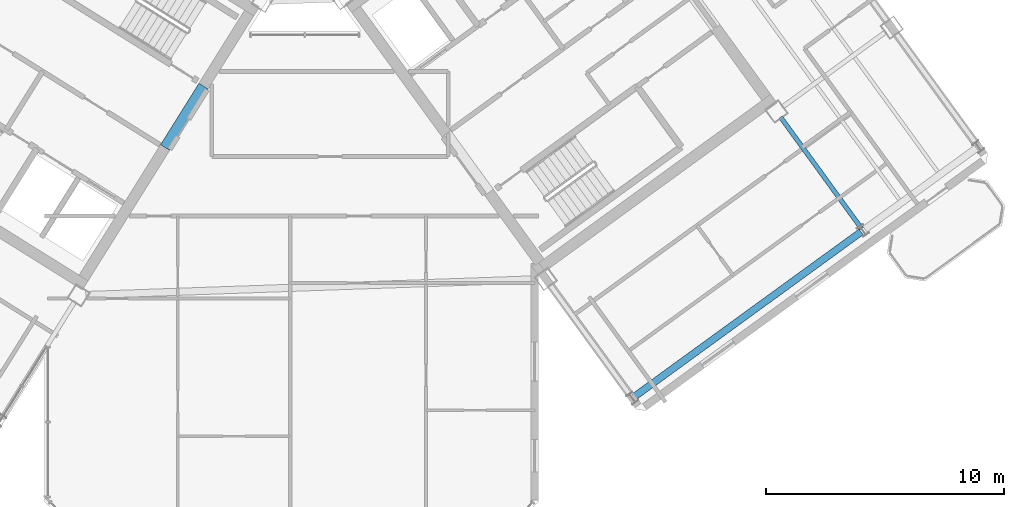
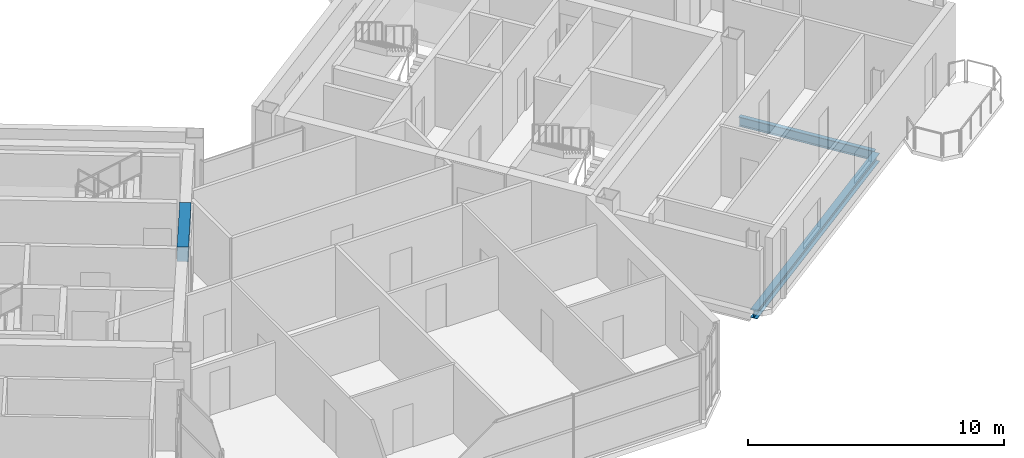
# One storey, part 11 of 25: 3 beams.
"""IFC4 building model written with IfcOpenShell, lengths in metres."""

from ifc_helpers import new_model, si_unit, direction, frame, origin, origin_2d, place, context, subcontext, project, spatial, rectangle, i_section, extrude, source, transform, mapped, material, material_profile, profile_set, type_object, element, save


model = new_model("IFC4")

# Units and contexts
model_context = context("Model", 3, precision=1e-05, world=origin(), true_north=direction((0.0, 1.0)))
body_context = subcontext(model_context, "Body", "Model", "MODEL_VIEW")
ifc_project = project(units=[si_unit("LENGTHUNIT", "METRE"), si_unit("AREAUNIT", "SQUARE_METRE"), si_unit("VOLUMEUNIT", "CUBIC_METRE"), si_unit("PLANEANGLEUNIT", "RADIAN"), si_unit("MASSUNIT", "GRAM", prefix="KILO")], contexts=[model_context])

# Site, building, storey
site_placement = place(None, origin())
site = spatial("IfcSite", under=ifc_project, at=site_placement, CompositionType="ELEMENT")
building_placement = place(site_placement, origin())
building = spatial("IfcBuilding", under=site, at=building_placement, Name="Tlacorven Tower", CompositionType="ELEMENT")
storey_placement = place(building_placement, frame((0.0, 0.0, 251.10009765625)))
storey = spatial("IfcBuildingStorey", under=building, at=storey_placement, Name="L63", CompositionType="ELEMENT", Elevation=251.10009765625)

# Beams
ifc_material_1 = material(Name="Concrete C60/75", Category="concrete")
ifc_material_profile_1 = material_profile(ifc_material_1, rectangle(XDim=0.449951171875, YDim=0.699951171875, at=origin_2d()), Name="RC 450X700")
ifc_profile_set_1 = profile_set([ifc_material_profile_1], Name="Concrete C60/75")
beam_type_1 = type_object("IfcBeamType", Name="BM-LNT-700", PredefinedType="LINTEL", material=ifc_profile_set_1)
shared_shape_1 = source(origin(), body_context, "Body", "SweptSolid", [
    extrude(rectangle(XDim=0.449951171875, YDim=0.699951171875, at=origin_2d()), origin(), (0.0, 0.0, 1.0), 3.050048828125),
])
beam_1_placement = place(storey_placement, frame((38.2998046875, 20.890625, 2.969970703125), z_axis=(-0.529984549635, -0.848007297815, 0.0), x_axis=(0.848007297815, -0.529984549635, 0.0)))
element("IfcBeam", 1, at=beam_1_placement, inside=storey, type_object=beam_type_1, Name="L63 W core coupling lintel beam E1", PredefinedType="LINTEL", context=body_context, shape_type="MappedRepresentation", body=[
    mapped(shared_shape_1, transform((0.0, 0.0, 0.0), scale=1.0)),
])
ifc_material_2 = material(Name="Steel S355J2", Category="steel")
ifc_material_profile_2 = material_profile(ifc_material_2, i_section(OverallWidth=0.300048828125, OverallDepth=0.389892578125, WebThickness=0.010986328125, FlangeThickness=0.01904296875, at=origin_2d()), Name="HEA 400")
ifc_profile_set_2 = profile_set([ifc_material_profile_2], Name="Steel S355J2")
beam_type_2 = type_object("IfcBeamType", Name="BM-SPN-400", PredefinedType="SPANDREL", material=ifc_profile_set_2)
shared_shape_2 = source(origin(), body_context, "Body", "SweptSolid", [
    extrude(i_section(OverallWidth=0.300048828125, OverallDepth=0.389892578125, WebThickness=0.010986328125, FlangeThickness=0.01904296875, at=origin_2d()), origin(), (0.0, 0.0, 1.0), 11.800048828125),
])
beam_2_placement = place(storey_placement, frame((56.4306640625, 7.816162109375, -0.445068359375), z_axis=(0.80900977213, 0.587795192732, 0.0), x_axis=(-0.587795192732, 0.80900977213, 0.0)))
element("IfcBeam", 2, at=beam_2_placement, inside=storey, type_object=beam_type_2, Name="L63 beam BM-L63-EL1-1", PredefinedType="SPANDREL", context=body_context, shape_type="MappedRepresentation", body=[
    mapped(shared_shape_2, transform((0.0, 0.0, 0.0), scale=1.0)),
])
ifc_material_profile_3 = material_profile(ifc_material_2, i_section(OverallWidth=0.18994140625, OverallDepth=0.449951171875, WebThickness=0.009521484375, FlangeThickness=0.0146484375, at=origin_2d()), Name="IPE 450")
ifc_profile_set_3 = profile_set([ifc_material_profile_3], Name="Steel S355J2")
beam_type_3 = type_object("IfcBeamType", Name="BM-TWR-450", PredefinedType="BEAM", material=ifc_profile_set_3)
shared_shape_3 = source(origin(), body_context, "Body", "SweptSolid", [
    extrude(i_section(OverallWidth=0.18994140625, OverallDepth=0.449951171875, WebThickness=0.009521484375, FlangeThickness=0.0146484375, at=origin_2d()), origin(), (0.0, 0.0, 1.0), 5.800048828125),
])
beam_3_placement = place(storey_placement, frame((65.9990234375, 14.891845703125, -0.47509765625), z_axis=(-0.587781191743, 0.809019944521, 0.0), x_axis=(-0.809019944521, -0.587781191743, 0.0)))
element("IfcBeam", 3, at=beam_3_placement, inside=storey, type_object=beam_type_3, Name="L63 beam BM-L63-ET3-1", PredefinedType="BEAM", context=body_context, shape_type="MappedRepresentation", body=[
    mapped(shared_shape_3, transform((0.0, 0.0, 0.0), scale=1.0)),
])

save(model, "model.ifc")
